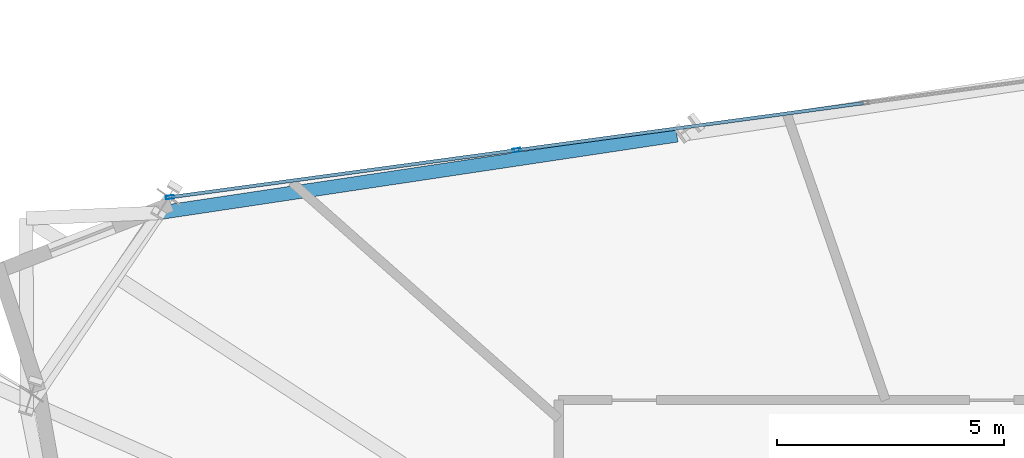
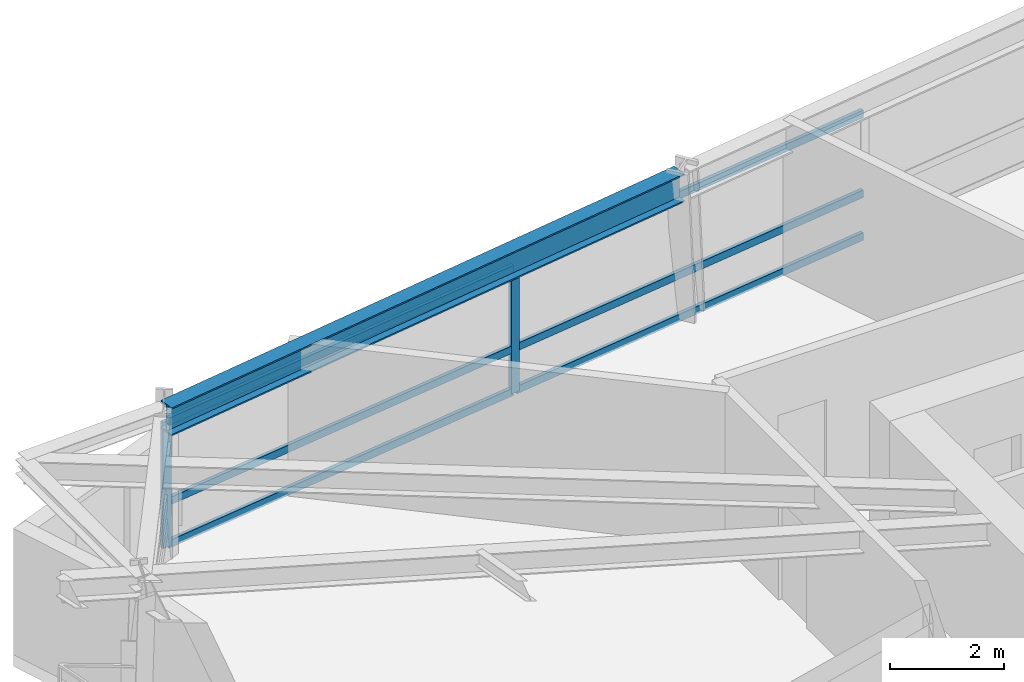
# One storey, part 6 of 16: 8 members, 1 beam, 1 element without a shape of its own.
"""IFC4 building model written with IfcOpenShell, lengths in metres."""

from ifc_helpers import new_model, si_unit, direction, frame, origin, origin_2d, place, context, subcontext, project, spatial, hollow_rectangle, i_section, extrude, source, transform, mapped, material, material_profile, profile_set, type_object, element, aggregate, save


model = new_model("IFC4")

# Units and contexts
model_context = context("Model", 3, precision=1e-05, world=origin(), true_north=direction((0.0, 1.0)))
body_context = subcontext(model_context, "Body", "Model", "MODEL_VIEW")
ifc_project = project(units=[si_unit("LENGTHUNIT", "METRE"), si_unit("AREAUNIT", "SQUARE_METRE"), si_unit("VOLUMEUNIT", "CUBIC_METRE"), si_unit("PLANEANGLEUNIT", "RADIAN"), si_unit("MASSUNIT", "GRAM", prefix="KILO")], contexts=[model_context])

# Site, building, storey
site_placement = place(None, origin())
site = spatial("IfcSite", under=ifc_project, at=site_placement, CompositionType="ELEMENT")
building_placement = place(site_placement, origin())
building = spatial("IfcBuilding", under=site, at=building_placement, Name="Olszyna Solenne Hotel", CompositionType="ELEMENT")
storey_placement = place(building_placement, frame((0.0, 0.0, 127.0)))
storey = spatial("IfcBuildingStorey", under=building, at=storey_placement, Name="L33", CompositionType="ELEMENT", Elevation=127.0)

# Beam
ifc_material_1 = material(Name="Steel S355J2", Category="steel")
ifc_material_profile_1 = material_profile(ifc_material_1, i_section(OverallWidth=0.300048828125, OverallDepth=0.60009765625, WebThickness=0.015380859375, FlangeThickness=0.030029296875, at=origin_2d()), Name="HEB 600", Category="load-bearing")
ifc_profile_set_1 = profile_set([ifc_material_profile_1], Name="Steel S355J2")
beam_type = type_object("IfcBeamType", Name="BM-S2", PredefinedType="BEAM", material=ifc_profile_set_1)
shared_shape_1 = source(origin(), body_context, "Body", "SweptSolid", [
    extrude(i_section(OverallWidth=0.300048828125, OverallDepth=0.60009765625, WebThickness=0.015380859375, FlangeThickness=0.030029296875, at=origin_2d()), origin(), (0.0, 0.0, 1.0), 11.463623046875),
])
beam_placement = place(storey_placement, frame((30.05078125, 42.1767578125, 3.0), z_axis=(-0.988978646664, -0.148058219773, 0.0), x_axis=(0.148058219773, -0.988978646664, 0.0)))
element("IfcBeam", 1, at=beam_placement, inside=storey, type_object=beam_type, Name="Perimeter spandrel beam BM-S2 B-L33-0990", PredefinedType="BEAM", context=body_context, shape_type="MappedRepresentation", body=[
    mapped(shared_shape_1, transform((0.0, 0.0, 0.0), x_axis=(1.0, 0.0, 0.0), y_axis=(0.0, 1.0, 0.0), z_axis=(0.0, 0.0, 1.0), scale=1.0)),
])

# Curtain wall, members
ifc_material_2 = material(Name="Anodised bronze aluminium", Category="aluminium")
curtain_wall_type = type_object("IfcCurtainWallType", Name="CW-SYS-3", PredefinedType="NOTDEFINED", material=ifc_material_2)
curtain_wall_placement = place(storey_placement, origin())
curtain_wall = element("IfcCurtainWall", 2, at=curtain_wall_placement, inside=storey, type_object=curtain_wall_type, Name="Unitised curtain wall CW-SYS-3 CW-L33-02", PredefinedType="NOTDEFINED")
ifc_material_profile_2 = material_profile(ifc_material_2, hollow_rectangle(XDim=0.074951171875, YDim=0.179931640625, WallThickness=0.00439453125, at=origin_2d()), Name="MULL 180x75x4.5", Category="load-bearing")
ifc_profile_set_2 = profile_set([ifc_material_profile_2], Name="Anodised bronze aluminium")
member_type_1 = type_object("IfcMemberType", Name="CW-M2", PredefinedType="MULLION", material=ifc_profile_set_2)
shared_shape_2 = source(origin(), body_context, "Body", "SweptSolid", [
    extrude(hollow_rectangle(XDim=0.074951171875, YDim=0.179931640625, WallThickness=0.00439453125, at=origin_2d()), origin(), (0.0, 0.0, 1.0), 2.69189453125),
])
member_1_placement = place(storey_placement, frame((18.898193359375, 40.813720703125, 0.0), z_axis=(0.0, 0.0, 1.0), x_axis=(-0.134484706965, 0.990915669264, 0.0)))
member_1 = element("IfcMember", 3, at=member_1_placement, type_object=member_type_1, Name="Curtain-wall mullion CW-M2 CM-L33-02-01", PredefinedType="MULLION", context=body_context, shape_type="MappedRepresentation", body=[
    mapped(shared_shape_2, transform((0.0, 0.0, 0.0), x_axis=(1.0, 0.0, 0.0), y_axis=(0.0, 1.0, 0.0), z_axis=(0.0, 0.0, 1.0), scale=1.0)),
])
member_2_placement = place(storey_placement, frame((26.523193359375, 41.8486328125, 0.0), z_axis=(0.0, 0.0, 1.0), x_axis=(-0.134484706965, 0.990915669264, 0.0)))
member_2 = element("IfcMember", 4, at=member_2_placement, type_object=member_type_1, Name="Curtain-wall mullion CW-M2 CM-L33-02-02", PredefinedType="MULLION", context=body_context, shape_type="MappedRepresentation", body=[
    mapped(shared_shape_2, transform((0.0, 0.0, 0.0), x_axis=(1.0, 0.0, 0.0), y_axis=(0.0, 1.0, 0.0), z_axis=(0.0, 0.0, 1.0), scale=1.0)),
])
ifc_material_profile_3 = material_profile(ifc_material_2, hollow_rectangle(XDim=0.074951171875, YDim=0.159912109375, WallThickness=0.00390625, at=origin_2d()), Name="TRAN 160x75x4", Category="load-bearing")
ifc_profile_set_3 = profile_set([ifc_material_profile_3], Name="Anodised bronze aluminium")
member_type_2 = type_object("IfcMemberType", Name="CW-T1", PredefinedType="USERDEFINED", material=ifc_profile_set_3)
shared_shape_3 = source(origin(), body_context, "Body", "SweptSolid", [
    extrude(hollow_rectangle(XDim=0.074951171875, YDim=0.159912109375, WallThickness=0.00390625, at=origin_2d()), origin(), (0.0, 0.0, 1.0), 7.619873046875),
])
member_3_placement = place(storey_placement, frame((18.935302734375, 40.81884765625, 0.03759765625), z_axis=(0.990917694096, 0.13446978667, 0.0), x_axis=(-0.13446978667, 0.990917694096, 0.0)))
member_3 = element("IfcMember", 5, at=member_3_placement, type_object=member_type_2, Name="Curtain-wall transom CW-T1 CT-L33-02-01", ObjectType="TRANSOM", PredefinedType="USERDEFINED", context=body_context, shape_type="MappedRepresentation", body=[
    mapped(shared_shape_3, transform((0.0, 0.0, 0.0), x_axis=(1.0, 0.0, 0.0), y_axis=(0.0, 1.0, 0.0), z_axis=(0.0, 0.0, 1.0), scale=1.0)),
])
member_4_placement = place(storey_placement, frame((18.935302734375, 40.81884765625, 0.949951171875), z_axis=(0.990917694096, 0.13446978667, 0.0), x_axis=(-0.13446978667, 0.990917694096, 0.0)))
member_4 = element("IfcMember", 6, at=member_4_placement, type_object=member_type_2, Name="Curtain-wall transom CW-T1 CT-L33-02-02", ObjectType="TRANSOM", PredefinedType="USERDEFINED", context=body_context, shape_type="MappedRepresentation", body=[
    mapped(shared_shape_3, transform((0.0, 0.0, 0.0), x_axis=(1.0, 0.0, 0.0), y_axis=(0.0, 1.0, 0.0), z_axis=(0.0, 0.0, 1.0), scale=1.0)),
])
member_5_placement = place(storey_placement, frame((18.935302734375, 40.81884765625, 2.654541015625), z_axis=(0.990917694096, 0.13446978667, 0.0), x_axis=(-0.13446978667, 0.990917694096, 0.0)))
member_5 = element("IfcMember", 7, at=member_5_placement, type_object=member_type_2, Name="Curtain-wall transom CW-T1 CT-L33-02-03", ObjectType="TRANSOM", PredefinedType="USERDEFINED", context=body_context, shape_type="MappedRepresentation", body=[
    mapped(shared_shape_3, transform((0.0, 0.0, 0.0), x_axis=(1.0, 0.0, 0.0), y_axis=(0.0, 1.0, 0.0), z_axis=(0.0, 0.0, 1.0), scale=1.0)),
])
shared_shape_4 = source(origin(), body_context, "Body", "SweptSolid", [
    extrude(hollow_rectangle(XDim=0.074951171875, YDim=0.159912109375, WallThickness=0.00390625, at=origin_2d()), origin(), (0.0, 0.0, 1.0), 7.657470703125),
])
member_6_placement = place(storey_placement, frame((26.560302734375, 41.853759765625, 0.03759765625), z_axis=(0.990916108321, 0.134481471844, 0.0), x_axis=(-0.134481471844, 0.990916108321, 0.0)))
member_6 = element("IfcMember", 8, at=member_6_placement, type_object=member_type_2, Name="Curtain-wall transom CW-T1 CT-L33-02-04", ObjectType="TRANSOM", PredefinedType="USERDEFINED", context=body_context, shape_type="MappedRepresentation", body=[
    mapped(shared_shape_4, transform((0.0, 0.0, 0.0), x_axis=(1.0, 0.0, 0.0), y_axis=(0.0, 1.0, 0.0), z_axis=(0.0, 0.0, 1.0), scale=1.0)),
])
member_7_placement = place(storey_placement, frame((26.560302734375, 41.853759765625, 0.949951171875), z_axis=(0.990916108321, 0.134481471844, 0.0), x_axis=(-0.134481471844, 0.990916108321, 0.0)))
member_7 = element("IfcMember", 9, at=member_7_placement, type_object=member_type_2, Name="Curtain-wall transom CW-T1 CT-L33-02-05", ObjectType="TRANSOM", PredefinedType="USERDEFINED", context=body_context, shape_type="MappedRepresentation", body=[
    mapped(shared_shape_4, transform((0.0, 0.0, 0.0), x_axis=(1.0, 0.0, 0.0), y_axis=(0.0, 1.0, 0.0), z_axis=(0.0, 0.0, 1.0), scale=1.0)),
])
member_8_placement = place(storey_placement, frame((26.560302734375, 41.853759765625, 2.654541015625), z_axis=(0.990916108321, 0.134481471844, 0.0), x_axis=(-0.134481471844, 0.990916108321, 0.0)))
member_8 = element("IfcMember", 10, at=member_8_placement, type_object=member_type_2, Name="Curtain-wall transom CW-T1 CT-L33-02-06", ObjectType="TRANSOM", PredefinedType="USERDEFINED", context=body_context, shape_type="MappedRepresentation", body=[
    mapped(shared_shape_4, transform((0.0, 0.0, 0.0), x_axis=(1.0, 0.0, 0.0), y_axis=(0.0, 1.0, 0.0), z_axis=(0.0, 0.0, 1.0), scale=1.0)),
])
aggregate(curtain_wall, [member_1, member_2, member_3, member_4, member_5, member_6, member_7, member_8])

save(model, "model.ifc")
